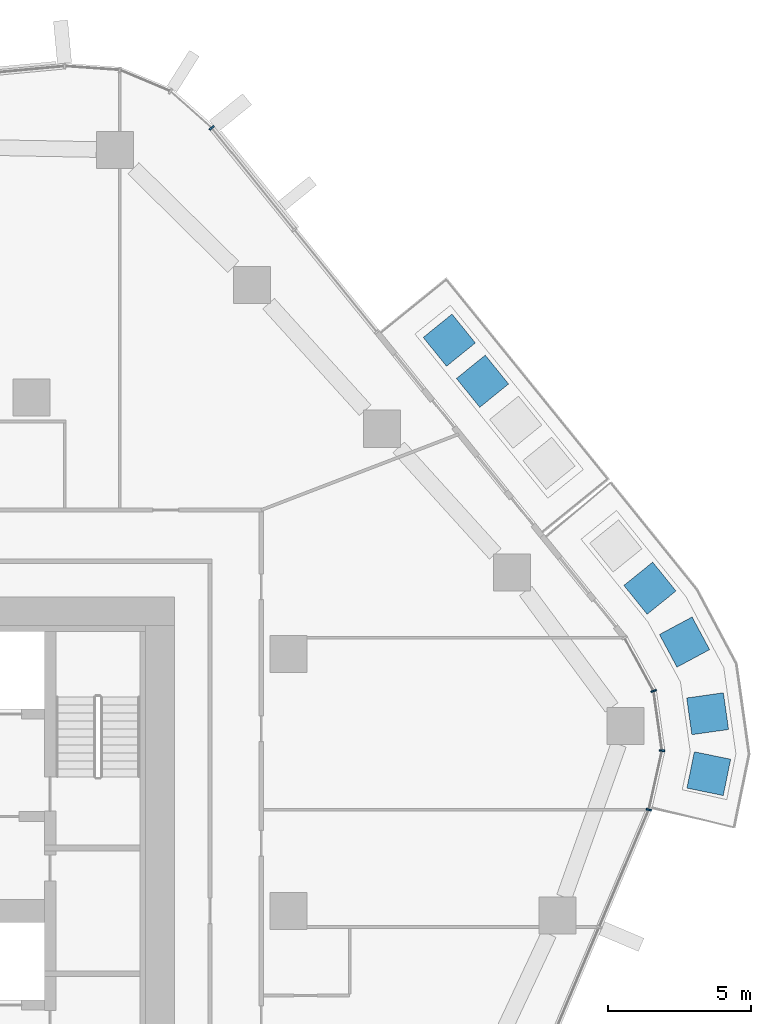
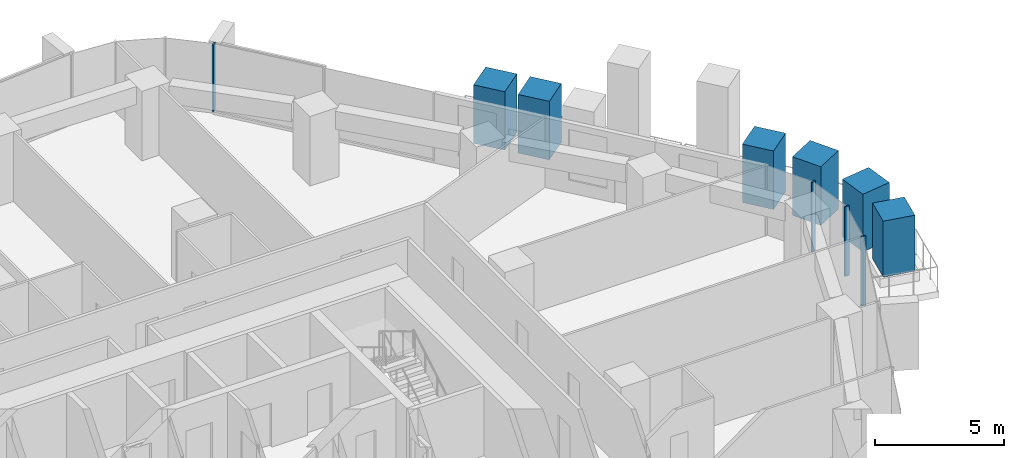
# One storey, part 9 of 24: 10 members, 2 elements without a shape of their own.
"""IFC4 building model written with IfcOpenShell, lengths in metres."""

from ifc_helpers import new_model, si_unit, direction, frame, origin, origin_2d, place, context, subcontext, project, spatial, rectangle, extrude, material, layer, layer_set, material_profile, profile_set, type_object, element, aggregate, save


model = new_model("IFC4")

# Units and contexts
model_context = context("Model", 3, precision=1e-05, world=origin(), true_north=direction((0.0, 1.0)))
body_context = subcontext(model_context, "Body", "Model", "MODEL_VIEW")
ifc_project = project(units=[si_unit("LENGTHUNIT", "METRE"), si_unit("AREAUNIT", "SQUARE_METRE"), si_unit("VOLUMEUNIT", "CUBIC_METRE"), si_unit("PLANEANGLEUNIT", "RADIAN"), si_unit("MASSUNIT", "GRAM", prefix="KILO")], contexts=[model_context])

# Site, building, storey
site_placement = place(None, origin())
site = spatial("IfcSite", under=ifc_project, at=site_placement, CompositionType="ELEMENT")
building_placement = place(site_placement, origin())
building = spatial("IfcBuilding", under=site, at=building_placement, Name="Dongbaek Canopy Tower", CompositionType="ELEMENT")
storey_placement = place(building_placement, frame((0.0, 0.0, 124.800048828125)))
storey = spatial("IfcBuildingStorey", under=building, at=storey_placement, Name="L27", CompositionType="ELEMENT", Elevation=124.800048828125)

# Curtain wall, members
ifc_material_1 = material(Name="Aluminium 6063-T6 pale anodised", Category="aluminium")
ifc_layer = layer(ifc_material_1, 0.199951171875)
ifc_layer_set = layer_set([ifc_layer], Name="CW-1 unitised tower curtain wall")
curtain_wall_type = type_object("IfcCurtainWallType", Name="CW-1 unitised tower curtain wall", PredefinedType="NOTDEFINED", material=ifc_layer_set)
curtain_wall_1_placement = place(storey_placement, origin())
curtain_wall_1 = element("IfcCurtainWall", 1, at=curtain_wall_1_placement, inside=storey, type_object=curtain_wall_type, Name="CW-1 curtain wall K0.1", PredefinedType="NOTDEFINED")
ifc_material_2 = material(Name="Aluminium 6063-T6 pale anodised", Category="aluminium")
ifc_material_profile_1 = material_profile(ifc_material_2, rectangle(XDim=0.199951171875, YDim=0.06005859375, at=origin_2d()), Name="CW-1 mullion 60 x 200")
ifc_profile_set_1 = profile_set([ifc_material_profile_1], Name="Aluminium 6063-T6 pale anodised")
member_type_1 = type_object("IfcMemberType", Name="CW-1 mullion 60 x 200", PredefinedType="MULLION", material=ifc_profile_set_1)
member_1_placement = place(storey_placement, frame((30.633544921875, 3.544677734375, 0.0), z_axis=(0.0, 0.0, 1.0), x_axis=(0.975873037295, -0.218338762206, 0.0)))
member_1 = element("IfcMember", 2, at=member_1_placement, type_object=member_type_1, Name="CW-1 mullion K0.1.1", PredefinedType="MULLION", context=body_context, shape_type="SweptSolid", body=[
    extrude(rectangle(XDim=0.199951171875, YDim=0.06005859375, at=origin_2d()), origin(), (0.0, 0.0, 1.0), 3.300048828125),
])
member_2_placement = place(storey_placement, frame((31.09716796875, 5.616455078125, 0.0), z_axis=(0.0, 0.0, 1.0), x_axis=(0.999201762695, -0.039947933954, 0.0)))
member_2 = element("IfcMember", 3, at=member_2_placement, type_object=member_type_1, Name="CW-1 mullion K0.1.2", PredefinedType="MULLION", context=body_context, shape_type="SweptSolid", body=[
    extrude(rectangle(XDim=0.199951171875, YDim=0.06005859375, at=origin_2d()), origin(), (0.0, 0.0, 1.0), 3.300048828125),
])
member_3_placement = place(storey_placement, frame((30.8017578125, 7.70947265625, 0.0), z_axis=(0.0, 0.0, 1.0), x_axis=(0.949125900251, 0.314896848942, 0.0)))
member_3 = element("IfcMember", 4, at=member_3_placement, type_object=member_type_1, Name="CW-1 mullion K0.1.3", PredefinedType="MULLION", context=body_context, shape_type="SweptSolid", body=[
    extrude(rectangle(XDim=0.199951171875, YDim=0.06005859375, at=origin_2d()), origin(), (0.0, 0.0, 1.0), 3.300048828125),
])
aggregate(curtain_wall_1, [member_1, member_2, member_3])

# Curtain wall, member
curtain_wall_2_placement = place(storey_placement, origin())
curtain_wall_2 = element("IfcCurtainWall", 5, at=curtain_wall_2_placement, inside=storey, type_object=curtain_wall_type, Name="CW-1 curtain wall F0.1", PredefinedType="NOTDEFINED")
member_4_placement = place(storey_placement, frame((15.31201171875, 27.443115234375, 0.119873046875), z_axis=(0.0, 0.0, 1.0), x_axis=(0.777161000453, 0.629301818982, 0.0)))
member_4 = element("IfcMember", 6, at=member_4_placement, type_object=member_type_1, Name="CW-1 mullion F0.1.3", PredefinedType="MULLION", context=body_context, shape_type="SweptSolid", body=[
    extrude(rectangle(XDim=0.199951171875, YDim=0.06005859375, at=origin_2d()), origin(), (0.0, 0.0, 1.0), 3.18017578125),
])
aggregate(curtain_wall_2, [member_4])

# Members
ifc_material_3 = material(Name="Concrete C40/50 planter mass with planting", Category="concrete")
ifc_material_profile_2 = material_profile(ifc_material_3, rectangle(XDim=1.300048828125, YDim=1.300048828125, at=origin_2d()), Name="Terrace PLANTER shrub mass 1300 x 1300")
ifc_profile_set_2 = profile_set([ifc_material_profile_2], Name="Concrete C40/50 planter mass with planting")
member_type_2 = type_object("IfcMemberType", Name="Terrace PLANTER shrub mass 1300 x 1300", PredefinedType="USERDEFINED", material=ifc_profile_set_2)
member_5_placement = place(storey_placement, frame((24.8046875, 18.564697265625, 0.419921875), z_axis=(0.0, 0.0, 1.0), x_axis=(0.777161000453, 0.629301818982, 0.0)))
element("IfcMember", 7, at=member_5_placement, inside=storey, type_object=member_type_2, Name="Planter shrubs L27 1.3", ObjectType="PLANTER", PredefinedType="USERDEFINED", context=body_context, shape_type="SweptSolid", body=[
    extrude(rectangle(XDim=1.300048828125, YDim=1.300048828125, at=origin_2d()), origin(), (0.0, 0.0, 1.0), 2.780029296875),
])
member_6_placement = place(storey_placement, frame((23.6396484375, 20.00341796875, 0.419921875), z_axis=(0.0, 0.0, 1.0), x_axis=(0.777161000453, 0.629301818982, 0.0)))
element("IfcMember", 8, at=member_6_placement, inside=storey, type_object=member_type_2, Name="Planter shrubs L27 1.4", ObjectType="PLANTER", PredefinedType="USERDEFINED", context=body_context, shape_type="SweptSolid", body=[
    extrude(rectangle(XDim=1.300048828125, YDim=1.300048828125, at=origin_2d()), origin(), (0.0, 0.0, 1.0), 2.77001953125),
])
member_7_placement = place(storey_placement, frame((32.736572265625, 4.80859375, 0.419921875), z_axis=(0.0, 0.0, 1.0), x_axis=(0.979684071399, -0.200547052449, 0.0)))
element("IfcMember", 9, at=member_7_placement, inside=storey, type_object=member_type_2, Name="Planter shrubs L27 5.1", ObjectType="PLANTER", PredefinedType="USERDEFINED", context=body_context, shape_type="SweptSolid", body=[
    extrude(rectangle(XDim=1.300048828125, YDim=1.300048828125, at=origin_2d()), origin(), (0.0, 0.0, 1.0), 2.650146484375),
])
member_8_placement = place(storey_placement, frame((32.69482421875, 6.909423828125, 0.419921875), z_axis=(0.0, 0.0, 1.0), x_axis=(0.990188808024, 0.139735909712, 0.0)))
element("IfcMember", 10, at=member_8_placement, inside=storey, type_object=member_type_2, Name="Planter shrubs L27 5.2", ObjectType="PLANTER", PredefinedType="USERDEFINED", context=body_context, shape_type="SweptSolid", body=[
    extrude(rectangle(XDim=1.300048828125, YDim=1.300048828125, at=origin_2d()), origin(), (0.0, 0.0, 1.0), 2.72998046875),
])
member_9_placement = place(storey_placement, frame((31.88623046875, 9.42138671875, 0.419921875), z_axis=(0.0, 0.0, 1.0), x_axis=(0.881090972303, 0.472946824206, 0.0)))
element("IfcMember", 11, at=member_9_placement, inside=storey, type_object=member_type_2, Name="Planter shrubs L27 5.3", ObjectType="PLANTER", PredefinedType="USERDEFINED", context=body_context, shape_type="SweptSolid", body=[
    extrude(rectangle(XDim=1.300048828125, YDim=1.300048828125, at=origin_2d()), origin(), (0.0, 0.0, 1.0), 2.780029296875),
])
member_10_placement = place(storey_placement, frame((30.673095703125, 11.309326171875, 0.419921875), z_axis=(0.0, 0.0, 1.0), x_axis=(0.778293029355, 0.627901234637, 0.0)))
element("IfcMember", 12, at=member_10_placement, inside=storey, type_object=member_type_2, Name="Planter shrubs L27 5.4", ObjectType="PLANTER", PredefinedType="USERDEFINED", context=body_context, shape_type="SweptSolid", body=[
    extrude(rectangle(XDim=1.300048828125, YDim=1.300048828125, at=origin_2d()), origin(), (0.0, 0.0, 1.0), 2.77001953125),
])

save(model, "model.ifc")
